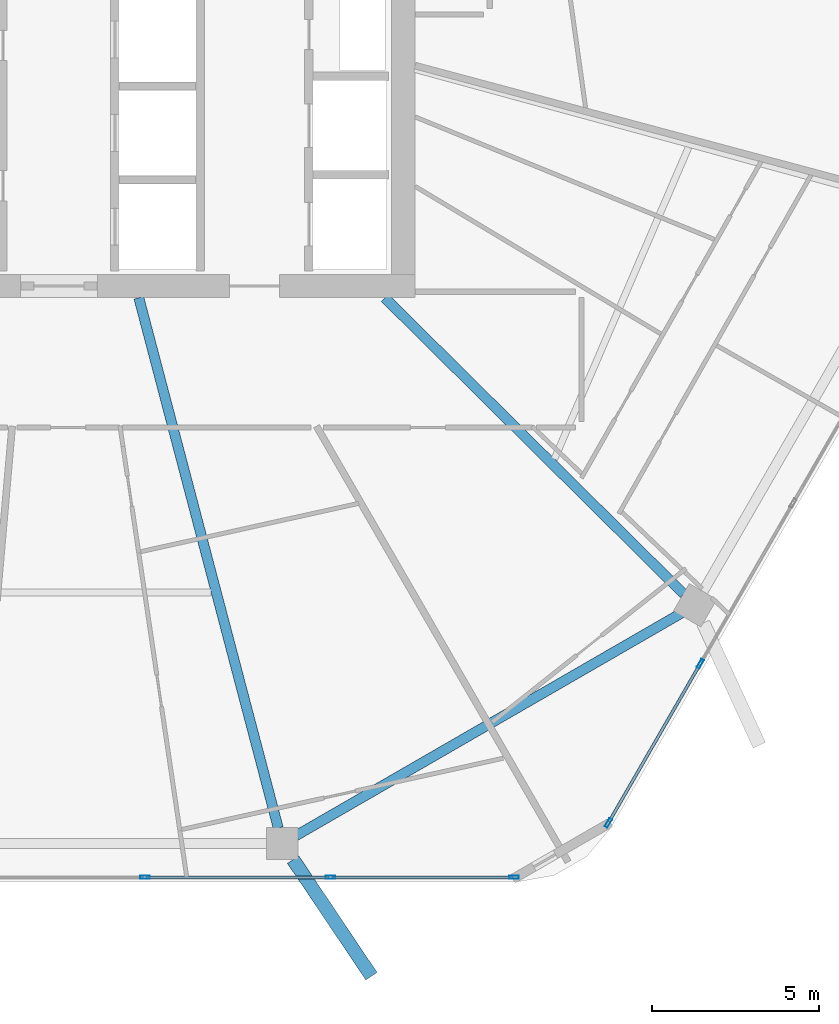
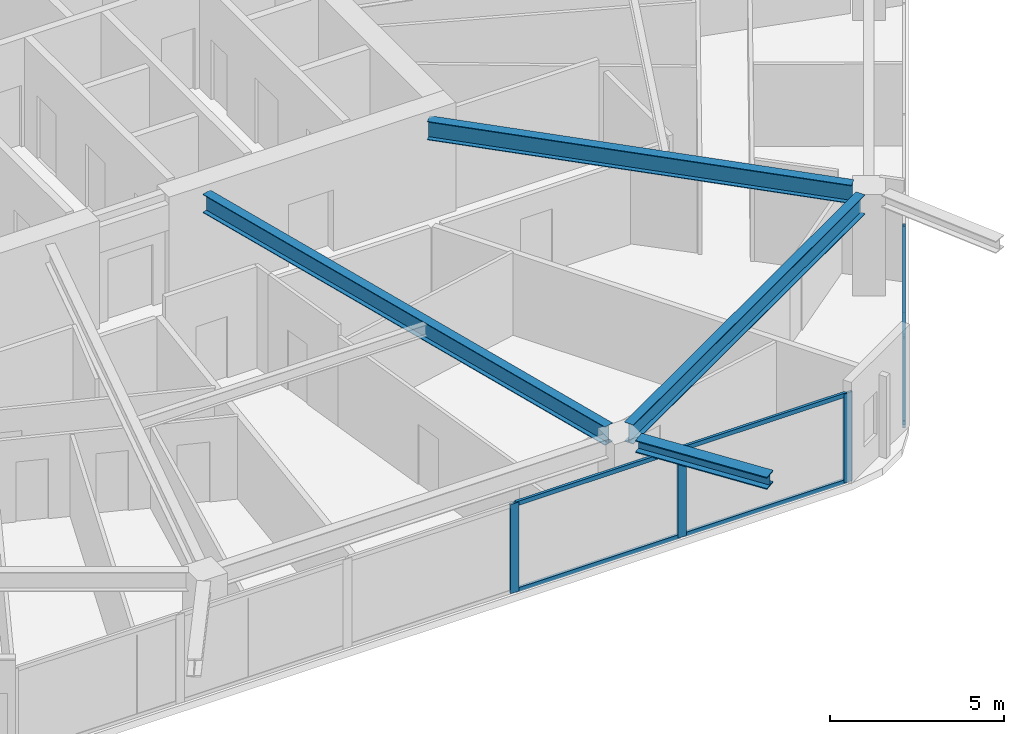
# One storey, part 7 of 26: 11 members, 4 beams, 2 elements without a shape of their own.
"""IFC4 building model written with IfcOpenShell, lengths in metres."""

from ifc_helpers import new_model, si_unit, direction, frame, origin, origin_2d, place, context, subcontext, project, spatial, hollow_rectangle, i_section, extrude, material, material_profile, profile_set, type_object, element, aggregate, save


model = new_model("IFC4")

# Units and contexts
model_context = context("Model", 3, precision=1e-05, world=origin(), true_north=direction((0.0, 1.0)))
body_context = subcontext(model_context, "Body", "Model", "MODEL_VIEW")
ifc_project = project(units=[si_unit("LENGTHUNIT", "METRE"), si_unit("AREAUNIT", "SQUARE_METRE"), si_unit("VOLUMEUNIT", "CUBIC_METRE"), si_unit("PLANEANGLEUNIT", "RADIAN"), si_unit("MASSUNIT", "GRAM", prefix="KILO")], contexts=[model_context])

# Site, building, storey
site_placement = place(None, origin())
site = spatial("IfcSite", under=ifc_project, at=site_placement, CompositionType="ELEMENT")
building_placement = place(site_placement, origin())
building = spatial("IfcBuilding", under=site, at=building_placement, Name="Zuhravey Tower", CompositionType="ELEMENT")
storey_placement = place(building_placement, frame((0.0, 0.0, 203.60009765625)))
storey = spatial("IfcBuildingStorey", under=building, at=storey_placement, Name="L51", CompositionType="ELEMENT", Elevation=203.60009765625)

# Curtain wall, members
ifc_material_1 = material(Name="Thermally broken anodised aluminium", Category="aluminium")
curtain_wall_type = type_object("IfcCurtainWallType", Name="Zone 1-2 Residential Curtain Wall CW3", PredefinedType="NOTDEFINED", material=ifc_material_1)
curtain_wall_1_placement = place(storey_placement, origin())
curtain_wall_1 = element("IfcCurtainWall", 1, at=curtain_wall_1_placement, inside=storey, type_object=curtain_wall_type, Name="L51 CW3 CW-L51-F6-1", PredefinedType="NOTDEFINED")
ifc_material_2 = material(Name="Anodised aluminium", Category="aluminium")
ifc_material_profile_1 = material_profile(ifc_material_2, hollow_rectangle(XDim=0.090087890625, YDim=0.284912109375, WallThickness=0.0048828125, at=origin_2d()), Name="ALU-RHS-90x285x5")
ifc_profile_set_1 = profile_set([ifc_material_profile_1], Name="Anodised aluminium")
member_type_1 = type_object("IfcMemberType", Name="Curtain-Wall Mullion 90x180", PredefinedType="MULLION", material=ifc_profile_set_1)
member_1_placement = place(storey_placement, frame((55.3828125, 11.2060546875, 0.0), z_axis=(0.0, 0.0, 1.0), x_axis=(0.866025138215, -0.500000459979, 0.0)))
member_1 = element("IfcMember", 2, at=member_1_placement, type_object=member_type_1, Name="CW3 mullion 5", PredefinedType="MULLION", context=body_context, shape_type="SweptSolid", body=[
    extrude(hollow_rectangle(XDim=0.090087890625, YDim=0.284912109375, WallThickness=0.0048828125, at=origin_2d()), origin(), (0.0, 0.0, 1.0), 3.121826171875),
])
member_2_placement = place(storey_placement, frame((52.63330078125, 6.443359375, 0.0), z_axis=(0.0, 0.0, 1.0), x_axis=(0.866025138215, -0.500000459979, 0.0)))
member_2 = element("IfcMember", 3, at=member_2_placement, type_object=member_type_1, Name="CW3 mullion 6", PredefinedType="MULLION", context=body_context, shape_type="SweptSolid", body=[
    extrude(hollow_rectangle(XDim=0.090087890625, YDim=0.284912109375, WallThickness=0.0048828125, at=origin_2d()), origin(), (0.0, 0.0, 1.0), 3.121826171875),
])

curtain_wall_2_placement = place(storey_placement, origin())
curtain_wall_2 = element("IfcCurtainWall", 4, at=curtain_wall_2_placement, inside=storey, type_object=curtain_wall_type, Name="L51 CW3 CW-L51-F5-1", PredefinedType="NOTDEFINED")
member_3_placement = place(storey_placement, frame((49.816162109375, 4.81689453125, 0.0), z_axis=(0.0, 0.0, 1.0), x_axis=(0.0, -1.0, 0.0)))
member_3 = element("IfcMember", 5, at=member_3_placement, type_object=member_type_1, Name="CW3 mullion 1", PredefinedType="MULLION", context=body_context, shape_type="SweptSolid", body=[
    extrude(hollow_rectangle(XDim=0.090087890625, YDim=0.284912109375, WallThickness=0.0048828125, at=origin_2d()), origin(), (0.0, 0.0, 1.0), 3.121826171875),
])
member_4_placement = place(storey_placement, frame((44.316650390625, 4.81689453125, 0.0), z_axis=(0.0, 0.0, 1.0), x_axis=(0.0, -1.0, 0.0)))
member_4 = element("IfcMember", 6, at=member_4_placement, type_object=member_type_1, Name="CW3 mullion 2", PredefinedType="MULLION", context=body_context, shape_type="SweptSolid", body=[
    extrude(hollow_rectangle(XDim=0.090087890625, YDim=0.284912109375, WallThickness=0.0048828125, at=origin_2d()), origin(), (0.0, 0.0, 1.0), 3.121826171875),
])
member_5_placement = place(storey_placement, frame((38.772216796875, 4.81689453125, 0.0), z_axis=(0.0, 0.0, 1.0), x_axis=(0.0, -1.0, 0.0)))
member_5 = element("IfcMember", 7, at=member_5_placement, type_object=member_type_1, Name="CW3 mullion 3", PredefinedType="MULLION", context=body_context, shape_type="SweptSolid", body=[
    extrude(hollow_rectangle(XDim=0.090087890625, YDim=0.284912109375, WallThickness=0.0048828125, at=origin_2d()), origin(), (0.0, 0.0, 1.0), 3.121826171875),
])

# Member
ifc_material_profile_2 = material_profile(ifc_material_2, hollow_rectangle(XDim=0.090087890625, YDim=0.14990234375, WallThickness=0.0048828125, at=origin_2d()), Name="ALU-RHS-90x150x5")
ifc_profile_set_2 = profile_set([ifc_material_profile_2], Name="Anodised aluminium")
member_type_2 = type_object("IfcMemberType", Name="Curtain-Wall Transom 90x150", PredefinedType="USERDEFINED", material=ifc_profile_set_2)
member_6_placement = place(storey_placement, frame((55.3603515625, 11.1669921875, 0.044921875), z_axis=(-0.499993332629, -0.866029253159, 0.0), x_axis=(0.866029253159, -0.499993332629, 0.0)))
member_6 = element("IfcMember", 8, at=member_6_placement, type_object=member_type_2, Name="CW3 transom 5.1", ObjectType="TRANSOM", PredefinedType="USERDEFINED", context=body_context, shape_type="SweptSolid", body=[
    extrude(hollow_rectangle(XDim=0.090087890625, YDim=0.14990234375, WallThickness=0.0048828125, at=origin_2d()), origin(), (0.0, 0.0, 1.0), 5.4091796875),
])

member_7_placement = place(storey_placement, frame((55.3603515625, 11.1669921875, 3.076904296875), z_axis=(-0.499993332629, -0.866029253159, 0.0), x_axis=(0.866029253159, -0.499993332629, 0.0)))
member_7 = element("IfcMember", 9, at=member_7_placement, type_object=member_type_2, Name="CW3 transom 5.2", ObjectType="TRANSOM", PredefinedType="USERDEFINED", context=body_context, shape_type="SweptSolid", body=[
    extrude(hollow_rectangle(XDim=0.090087890625, YDim=0.14990234375, WallThickness=0.0048828125, at=origin_2d()), origin(), (0.0, 0.0, 1.0), 5.4091796875),
])

aggregate(curtain_wall_1, [member_1, member_2, member_6, member_7])

member_8_placement = place(storey_placement, frame((49.77099609375, 4.81689453125, 0.044921875), z_axis=(-1.0, 0.0, 0.0), x_axis=(0.0, -1.0, 0.0)))
member_8 = element("IfcMember", 10, at=member_8_placement, type_object=member_type_2, Name="CW3 transom 1.1", ObjectType="TRANSOM", PredefinedType="USERDEFINED", context=body_context, shape_type="SweptSolid", body=[
    extrude(hollow_rectangle(XDim=0.090087890625, YDim=0.14990234375, WallThickness=0.0048828125, at=origin_2d()), origin(), (0.0, 0.0, 1.0), 5.409423828125),
])

member_9_placement = place(storey_placement, frame((49.77099609375, 4.81689453125, 3.076904296875), z_axis=(-1.0, 0.0, 0.0), x_axis=(0.0, -1.0, 0.0)))
member_9 = element("IfcMember", 11, at=member_9_placement, type_object=member_type_2, Name="CW3 transom 1.2", ObjectType="TRANSOM", PredefinedType="USERDEFINED", context=body_context, shape_type="SweptSolid", body=[
    extrude(hollow_rectangle(XDim=0.090087890625, YDim=0.14990234375, WallThickness=0.0048828125, at=origin_2d()), origin(), (0.0, 0.0, 1.0), 5.409423828125),
])

member_10_placement = place(storey_placement, frame((44.271728515625, 4.81689453125, 0.044921875), z_axis=(-1.0, 0.0, 0.0), x_axis=(0.0, -1.0, 0.0)))
member_10 = element("IfcMember", 12, at=member_10_placement, type_object=member_type_2, Name="CW3 transom 2.1", ObjectType="TRANSOM", PredefinedType="USERDEFINED", context=body_context, shape_type="SweptSolid", body=[
    extrude(hollow_rectangle(XDim=0.090087890625, YDim=0.14990234375, WallThickness=0.0048828125, at=origin_2d()), origin(), (0.0, 0.0, 1.0), 5.45458984375),
])

member_11_placement = place(storey_placement, frame((44.271728515625, 4.81689453125, 3.076904296875), z_axis=(-1.0, 0.0, 0.0), x_axis=(0.0, -1.0, 0.0)))
member_11 = element("IfcMember", 13, at=member_11_placement, type_object=member_type_2, Name="CW3 transom 2.2", ObjectType="TRANSOM", PredefinedType="USERDEFINED", context=body_context, shape_type="SweptSolid", body=[
    extrude(hollow_rectangle(XDim=0.090087890625, YDim=0.14990234375, WallThickness=0.0048828125, at=origin_2d()), origin(), (0.0, 0.0, 1.0), 5.45458984375),
])

aggregate(curtain_wall_2, [member_3, member_4, member_5, member_8, member_9, member_10, member_11])

# Beams
ifc_material_3 = material(Name="Steel SM460", Category="steel")
ifc_material_profile_3 = material_profile(ifc_material_3, i_section(OverallWidth=0.406982421875, OverallDepth=0.427978515625, WebThickness=0.02001953125, FlangeThickness=0.034912109375, at=origin_2d()), Name="H-428x407x20x35")
ifc_profile_set_3 = profile_set([ifc_material_profile_3], Name="Steel SM460")
beam_type_1 = type_object("IfcBeamType", Name="Exoskeleton Node Tie Beam H428x407", PredefinedType="BEAM", material=ifc_profile_set_3)
beam_1_placement = place(storey_placement, frame((43.203125, 5.3486328125, 3.3359375), z_axis=(0.557552001488, -0.830142015342, 0.0), x_axis=(0.830142015342, 0.557552001488, 0.0)))
element("IfcBeam", 14, at=beam_1_placement, inside=storey, type_object=beam_type_1, Name="L51 Exoskeleton Node Tie NT1-10", PredefinedType="BEAM", context=body_context, shape_type="SweptSolid", body=[
    extrude(i_section(OverallWidth=0.406982421875, OverallDepth=0.427978515625, WebThickness=0.02001953125, FlangeThickness=0.034912109375, at=origin_2d()), origin(), (0.0, 0.0, 1.0), 4.203125),
])
ifc_material_4 = material(Name="Steel SM355", Category="steel")
ifc_material_profile_4 = material_profile(ifc_material_4, i_section(OverallWidth=0.300048828125, OverallDepth=0.679931640625, WebThickness=0.012939453125, FlangeThickness=0.02197265625, at=origin_2d()), Name="H-680x300x13x22")
ifc_profile_set_4 = profile_set([ifc_material_profile_4], Name="Steel SM355")
beam_type_2 = type_object("IfcBeamType", Name="Perimeter Ring Beam H680x300", PredefinedType="BEAM", material=ifc_profile_set_4)
beam_2_placement = place(storey_placement, frame((43.2958984375, 6.06591796875, 3.2099609375), z_axis=(0.866029041019, 0.499993700073, 0.0), x_axis=(-0.499993700073, 0.866029041019, 0.0)))
element("IfcBeam", 15, at=beam_2_placement, inside=storey, type_object=beam_type_2, Name="L51 PB2 BM-L51-PB-10", PredefinedType="BEAM", context=body_context, shape_type="SweptSolid", body=[
    extrude(i_section(OverallWidth=0.300048828125, OverallDepth=0.679931640625, WebThickness=0.012939453125, FlangeThickness=0.02197265625, at=origin_2d()), origin(), (0.0, 0.0, 1.0), 13.297119140625),
])
ifc_material_profile_5 = material_profile(ifc_material_4, i_section(OverallWidth=0.300048828125, OverallDepth=0.64990234375, WebThickness=0.012939453125, FlangeThickness=0.02197265625, at=origin_2d()), Name="H-650x300x13x22")
ifc_profile_set_5 = profile_set([ifc_material_profile_5], Name="Steel SM355")
beam_type_3 = type_object("IfcBeamType", Name="Radial Primary Girder H650x300", PredefinedType="BEAM", material=ifc_profile_set_5)
beam_3_placement = place(storey_placement, frame((38.5908203125, 22.14697265625, 3.224853515625), z_axis=(0.254299806285, -0.967125435775, 0.0), x_axis=(0.967125435775, 0.254299806285, 0.0)))
element("IfcBeam", 16, at=beam_3_placement, inside=storey, type_object=beam_type_3, Name="L51 RG2 BM-L51-RAD-10", PredefinedType="BEAM", context=body_context, shape_type="SweptSolid", body=[
    extrude(i_section(OverallWidth=0.300048828125, OverallDepth=0.64990234375, WebThickness=0.012939453125, FlangeThickness=0.02197265625, at=origin_2d()), origin(), (0.0, 0.0, 1.0), 16.396728515625),
])
beam_4_placement = place(storey_placement, frame((45.945556640625, 22.14697265625, 3.224853515625), z_axis=(0.710406645816, -0.703791444663, 0.0), x_axis=(0.703791444663, 0.710406645816, 0.0)))
element("IfcBeam", 17, at=beam_4_placement, inside=storey, type_object=beam_type_3, Name="L51 RG2 BM-L51-RAD-11", PredefinedType="BEAM", context=body_context, shape_type="SweptSolid", body=[
    extrude(i_section(OverallWidth=0.300048828125, OverallDepth=0.64990234375, WebThickness=0.012939453125, FlangeThickness=0.02197265625, at=origin_2d()), origin(), (0.0, 0.0, 1.0), 12.5849609375),
])

save(model, "model.ifc")
